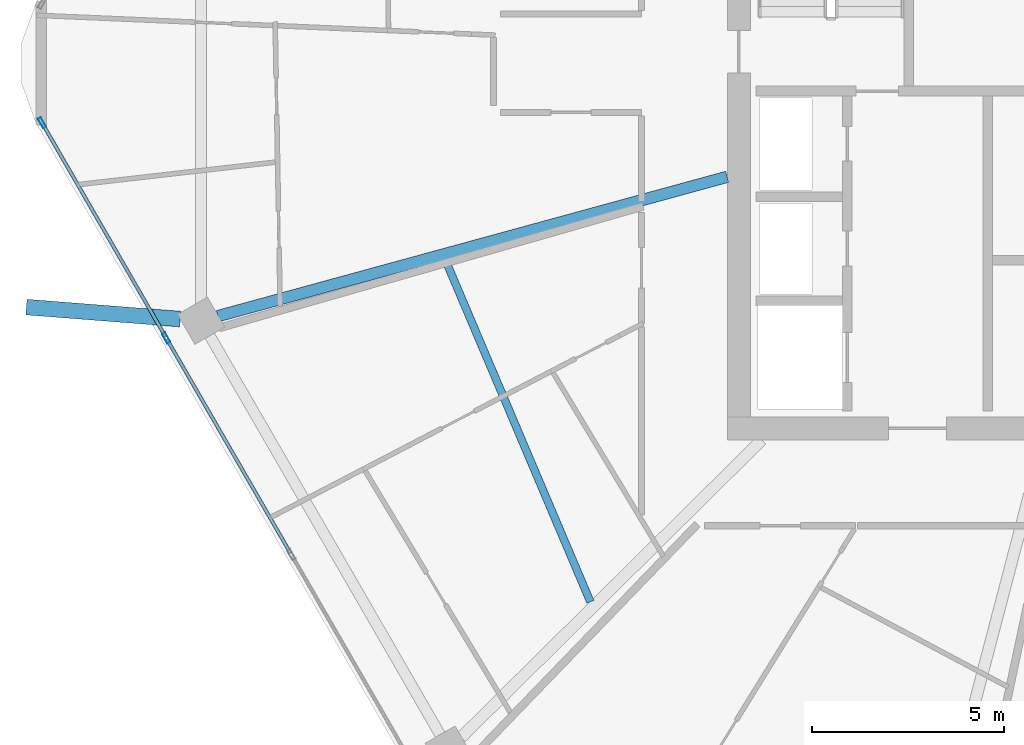
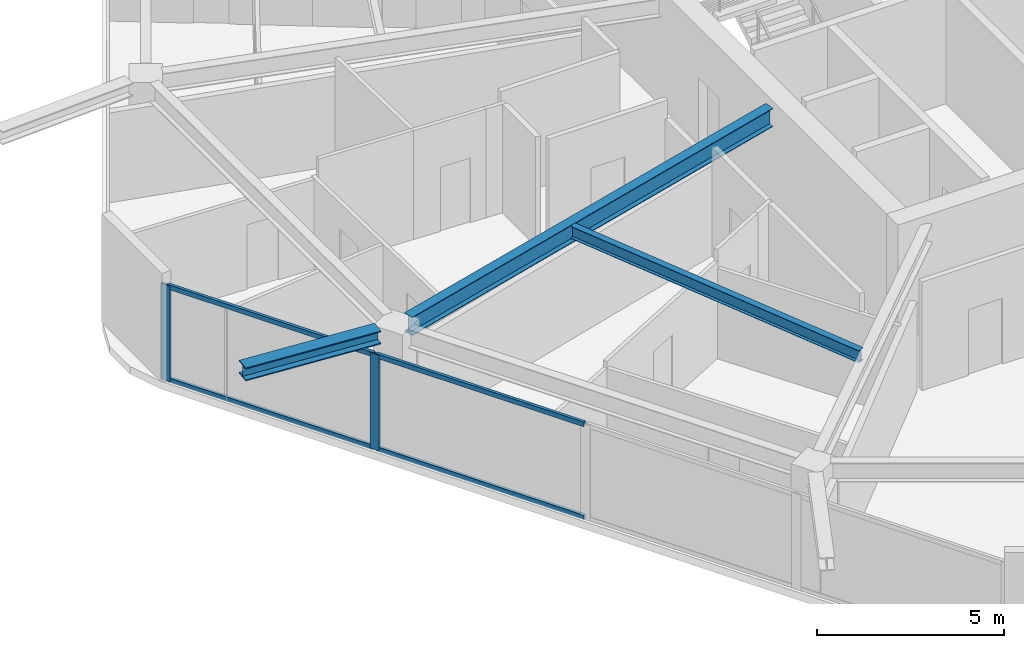
# One storey, part 5 of 26: 6 members, 3 beams, 1 element without a shape of its own.
"""IFC4 building model written with IfcOpenShell, lengths in metres."""

import ifcopenshell
import ifcopenshell.guid

model = None  # the IFC model being written
_history = None  # IfcOwnerHistory: only IFC2X3 demands one
_inside = {}  # id of a spatial element -> (the spatial element, [elements in it])
_under = {}  # id of a project, library or spatial element -> (it, [spatial elements below it])
_declared = {}  # id of a project -> (the project, [libraries it declares])
_typed = {}  # id of a type object -> (the type object, [elements of that type])
_made_of = {}  # id of a material, layer set ... -> (it, [elements and type objects made of it])


def new_model(schema):
    """Start an empty IFC model of exactly this schema.

    Asked for "IFC4X3", IfcOpenShell would pick the latest addendum, in which some entities
    have other attributes; the version numbers below select the first issue.
    IFC2X3 requires an IfcOwnerHistory on every rooted entity: one is made here for all.
    """
    global model, _history
    if schema == "IFC4X3":
        model = ifcopenshell.file(schema_version=(4, 3, 0, 0))
    else:
        model = ifcopenshell.file(schema=schema)
    _inside.clear()
    _under.clear()
    _declared.clear()
    _typed.clear()
    _made_of.clear()
    _history = None
    if model.schema == "IFC2X3":
        org = make("IfcOrganization", Name="unknown")
        user = make(
            "IfcPersonAndOrganization",
            ThePerson=make("IfcPerson", FamilyName="unknown"),
            TheOrganization=org,
        )
        app = make(
            "IfcApplication",
            ApplicationDeveloper=org,
            Version="unknown",
            ApplicationFullName="unknown",
            ApplicationIdentifier="unknown",
        )
        _history = make(
            "IfcOwnerHistory",
            OwningUser=user,
            OwningApplication=app,
            ChangeAction="ADDED",
            CreationDate=0,
        )
    return model


def make(cls, **values):
    """One entity of the class cls with the attributes given. An attribute that is None is left unset."""
    return model.create_entity(
        cls, **{name: value for name, value in values.items() if value is not None}
    )


def rooted(cls, **values):
    """An entity with a GlobalId (a new one), such as an element, a storey or a relation."""
    return make(cls, GlobalId=ifcopenshell.guid.new(), OwnerHistory=_history, **values)


def si_unit(unit_type, name, prefix=None):
    """IfcSIUnit, for example si_unit("LENGTHUNIT", "METRE", prefix="MILLI")."""
    return make("IfcSIUnit", UnitType=unit_type, Prefix=prefix, Name=name)


def assignment(units):
    """IfcUnitAssignment: the units of a project."""
    return None if units is None else make("IfcUnitAssignment", Units=units)


def point(xyz):
    """IfcCartesianPoint."""
    return None if xyz is None else make("IfcCartesianPoint", Coordinates=xyz)


def direction(xyz):
    """IfcDirection."""
    return None if xyz is None else make("IfcDirection", DirectionRatios=xyz)


def frame(location, z_axis=None, x_axis=None):
    """IfcAxis2Placement3D, a coordinate frame: its origin and axes. An axis left out is left unset."""
    return make(
        "IfcAxis2Placement3D",
        Location=point(location),
        Axis=direction(z_axis),
        RefDirection=direction(x_axis),
    )


def frame_2d(location, x_axis=None):
    """IfcAxis2Placement2D, a coordinate frame in the plane: its origin and x axis."""
    return make(
        "IfcAxis2Placement2D", Location=point(location), RefDirection=direction(x_axis)
    )


def origin():
    """The frame at (0, 0, 0) with its axes left unset."""
    return frame((0.0, 0.0, 0.0))


def origin_2d():
    """The frame at (0, 0) in the plane with its x axis left unset."""
    return frame_2d((0.0, 0.0))


def place(relative_to, where):
    """IfcLocalPlacement: puts the frame where relative to a parent placement (None: the world)."""
    return make(
        "IfcLocalPlacement", PlacementRelTo=relative_to, RelativePlacement=where
    )


def context(
    kind, dimensions, precision=None, world=None, true_north=None, identifier=None
):
    """IfcGeometricRepresentationContext, for example the 3D "Model" context."""
    return make(
        "IfcGeometricRepresentationContext",
        ContextIdentifier=identifier,
        ContextType=kind,
        CoordinateSpaceDimension=dimensions,
        Precision=precision,
        WorldCoordinateSystem=world,
        TrueNorth=true_north,
    )


def subcontext(parent, identifier, kind, view, scale=None):
    """IfcGeometricRepresentationSubContext, for example "Body" below "Model"."""
    return make(
        "IfcGeometricRepresentationSubContext",
        ContextIdentifier=identifier,
        ContextType=kind,
        ParentContext=parent,
        TargetScale=scale,
        TargetView=view,
    )


def project(units=None, contexts=None):
    """IfcProject with its units and contexts."""
    return rooted(
        "IfcProject",
        Name="project",
        RepresentationContexts=contexts,
        UnitsInContext=assignment(units),
    )


def spatial(cls, under=None, at=None, **own):
    """A site, building, storey or space (cls), placed at a placement, below another one or the project."""
    s = rooted(cls, ObjectPlacement=at, **own)
    if under is not None:
        _under.setdefault(under.id(), (under, []))[1].append(s)
    return s


def profile(cls, at=None, kind="AREA", **sizes):
    """A parametric profile (cls). Its sizes go by their IFC names, for example OverallWidth=200.0."""
    return make(cls, ProfileType=kind, Position=at, **sizes)


def hollow_rectangle(**sizes):
    """IfcRectangleHollowProfileDef."""
    return profile("IfcRectangleHollowProfileDef", **sizes)


def i_section(**sizes):
    """IfcIShapeProfileDef."""
    return profile("IfcIShapeProfileDef", **sizes)


def extrude(swept, where, along, depth):
    """IfcExtrudedAreaSolid: the profile swept, set in the frame where, extruded along a direction by depth."""
    return make(
        "IfcExtrudedAreaSolid",
        SweptArea=swept,
        Position=where,
        ExtrudedDirection=direction(along),
        Depth=depth,
    )


def shape(context_of_items, identifier, shape_type, items):
    """IfcShapeRepresentation: the items that make up one representation, for example the "Body"."""
    return make(
        "IfcShapeRepresentation",
        ContextOfItems=context_of_items,
        RepresentationIdentifier=identifier,
        RepresentationType=shape_type,
        Items=items,
    )


def material(Name=None, Category=None):
    """IfcMaterial."""
    return make("IfcMaterial", Name=Name, Category=Category)


def material_profile(
    of_material, cross_section, Name=None, Category=None, Priority=None
):
    """IfcMaterialProfile: a cross section and its material."""
    return make(
        "IfcMaterialProfile",
        Name=Name,
        Material=of_material,
        Profile=cross_section,
        Priority=Priority,
        Category=Category,
    )


def profile_set(profiles, Name=None, composite=None):
    """IfcMaterialProfileSet."""
    return make(
        "IfcMaterialProfileSet",
        Name=Name,
        MaterialProfiles=profiles,
        CompositeProfile=composite,
    )


def made_of(thing, what):
    """Note that an element or type object is made of a material, layer set ...; save() writes the relation."""
    if what is not None:
        _made_of.setdefault(what.id(), (what, []))[1].append(thing)
    return thing


def type_object(cls, material=None, **own):
    """A type object (cls), such as IfcWallType, which elements share."""
    return made_of(rooted(cls, **own), material)


def element(
    cls,
    number,
    at=None,
    inside=None,
    cuts=None,
    type_object=None,
    material=None,
    context=None,
    identifier="Body",
    shape_type=None,
    held_by="IfcProductDefinitionShape",
    body=None,
    shapes=None,
    **own,
):
    """One element of the class cls, such as IfcWall. Its Tag is "e" and its number.

    at: its placement. inside: the storey or other place that contains it. cuts: it is an
    opening in that element (IfcRelVoidsElement). A single representation is given by context,
    identifier, shape_type and body (its items); several are given by shapes. held_by: the class
    of the entity that holds the representations. save() writes the other relations.
    """
    e = rooted(cls, Tag="e%d" % number, ObjectPlacement=at, **own)
    if body is not None:
        shapes = [shape(context, identifier, shape_type, body)]
    if shapes is not None:
        e.Representation = make(held_by, Representations=shapes)
    if inside is not None:
        _inside.setdefault(inside.id(), (inside, []))[1].append(e)
    if cuts is not None:
        rooted(
            "IfcRelVoidsElement", RelatingBuildingElement=cuts, RelatedOpeningElement=e
        )
    if type_object is not None:
        _typed.setdefault(type_object.id(), (type_object, []))[1].append(e)
    return made_of(e, material)


def aggregate(whole, parts):
    """IfcRelAggregates: a whole, such as a stair, and the parts it consists of."""
    return rooted("IfcRelAggregates", RelatingObject=whole, RelatedObjects=parts)


def save(model, path):
    """Write the relations noted so far, then the file.

    IfcRelAggregates (storeys below a building ...), IfcRelContainedInSpatialStructure (elements
    in a storey), IfcRelDefinesByType, IfcRelAssociatesMaterial and IfcRelDeclares: one each for
    every whole, place, type object, material and project.
    """
    for whole, parts in _under.values():
        aggregate(whole, parts)
    for where, things in _inside.values():
        rooted(
            "IfcRelContainedInSpatialStructure",
            RelatedElements=things,
            RelatingStructure=where,
        )
    for kind, things in _typed.values():
        rooted("IfcRelDefinesByType", RelatedObjects=things, RelatingType=kind)
    for what, things in _made_of.values():
        rooted("IfcRelAssociatesMaterial", RelatedObjects=things, RelatingMaterial=what)
    for by, libraries in _declared.values():
        rooted("IfcRelDeclares", RelatingContext=by, RelatedDefinitions=libraries)
    model.write(path)


model = new_model("IFC4")

# Units and contexts
model_context = context("Model", 3, precision=1e-05, world=origin(), true_north=direction((0.0, 1.0)))
body_context = subcontext(model_context, "Body", "Model", "MODEL_VIEW")
ifc_project = project(units=[si_unit("LENGTHUNIT", "METRE"), si_unit("AREAUNIT", "SQUARE_METRE"), si_unit("VOLUMEUNIT", "CUBIC_METRE"), si_unit("PLANEANGLEUNIT", "RADIAN"), si_unit("MASSUNIT", "GRAM", prefix="KILO")], contexts=[model_context])

# Site, building, storey
site_placement = place(None, origin())
site = spatial("IfcSite", under=ifc_project, at=site_placement, CompositionType="ELEMENT")
building_placement = place(site_placement, origin())
building = spatial("IfcBuilding", under=site, at=building_placement, Name="Zuhravey Tower", CompositionType="ELEMENT")
storey_placement = place(building_placement, frame((0.0, 0.0, 242.60009765625)))
storey = spatial("IfcBuildingStorey", under=building, at=storey_placement, Name="L61", CompositionType="ELEMENT", Elevation=242.60009765625)

# Curtain wall, members
ifc_material_1 = material(Name="Thermally broken anodised aluminium", Category="aluminium")
curtain_wall_type = type_object("IfcCurtainWallType", Name="Zone 3-4 High-Rise Curtain Wall CW4", PredefinedType="NOTDEFINED", material=ifc_material_1)
curtain_wall_placement = place(storey_placement, origin())
curtain_wall = element("IfcCurtainWall", 1, at=curtain_wall_placement, inside=storey, type_object=curtain_wall_type, Name="L61 CW4 CW-L61-F4-1", PredefinedType="NOTDEFINED")
ifc_material_2 = material(Name="Anodised aluminium", Category="aluminium")
ifc_material_profile_1 = material_profile(ifc_material_2, hollow_rectangle(XDim=0.090087890625, YDim=0.284912109375, WallThickness=0.0048828125, at=origin_2d()), Name="ALU-RHS-90x285x5")
ifc_profile_set_1 = profile_set([ifc_material_profile_1], Name="Anodised aluminium")
member_type_1 = type_object("IfcMemberType", Name="Curtain-Wall Mullion 90x180", PredefinedType="MULLION", material=ifc_profile_set_1)
member_1_placement = place(storey_placement, frame((10.608154296875, 24.852783203125, 0.0), z_axis=(0.0, 0.0, 1.0), x_axis=(-0.866024851021, -0.500000957414, 0.0)))
member_1 = element("IfcMember", 2, at=member_1_placement, type_object=member_type_1, Name="CW4 mullion 4", PredefinedType="MULLION", context=body_context, shape_type="SweptSolid", body=[
    extrude(hollow_rectangle(XDim=0.090087890625, YDim=0.284912109375, WallThickness=0.0048828125, at=origin_2d()), origin(), (0.0, 0.0, 1.0), 3.121826171875),
])
member_2_placement = place(storey_placement, frame((7.37744140625, 30.448486328125, 0.0), z_axis=(0.0, 0.0, 1.0), x_axis=(-0.866024851021, -0.500000957414, 0.0)))
member_2 = element("IfcMember", 3, at=member_2_placement, type_object=member_type_1, Name="CW4 mullion 5", PredefinedType="MULLION", context=body_context, shape_type="SweptSolid", body=[
    extrude(hollow_rectangle(XDim=0.090087890625, YDim=0.284912109375, WallThickness=0.0048828125, at=origin_2d()), origin(), (0.0, 0.0, 1.0), 3.121826171875),
])
ifc_material_profile_2 = material_profile(ifc_material_2, hollow_rectangle(XDim=0.090087890625, YDim=0.14990234375, WallThickness=0.0048828125, at=origin_2d()), Name="ALU-RHS-90x150x5")
ifc_profile_set_2 = profile_set([ifc_material_profile_2], Name="Anodised aluminium")
member_type_2 = type_object("IfcMemberType", Name="Curtain-Wall Transom 90x150", PredefinedType="USERDEFINED", material=ifc_profile_set_2)
member_3_placement = place(storey_placement, frame((13.8388671875, 19.257080078125, 0.044921875), z_axis=(-0.499998017366, 0.866026548456, 0.0), x_axis=(-0.866026548456, -0.499998017366, 0.0)))
member_3 = element("IfcMember", 4, at=member_3_placement, type_object=member_type_2, Name="CW4 transom 3.1", ObjectType="TRANSOM", PredefinedType="USERDEFINED", context=body_context, shape_type="SweptSolid", body=[
    extrude(hollow_rectangle(XDim=0.090087890625, YDim=0.14990234375, WallThickness=0.0048828125, at=origin_2d()), origin(), (0.0, 0.0, 1.0), 6.41650390625),
])
member_4_placement = place(storey_placement, frame((13.8388671875, 19.257080078125, 3.076904296875), z_axis=(-0.499998017366, 0.866026548456, 0.0), x_axis=(-0.866026548456, -0.499998017366, 0.0)))
member_4 = element("IfcMember", 5, at=member_4_placement, type_object=member_type_2, Name="CW4 transom 3.2", ObjectType="TRANSOM", PredefinedType="USERDEFINED", context=body_context, shape_type="SweptSolid", body=[
    extrude(hollow_rectangle(XDim=0.090087890625, YDim=0.14990234375, WallThickness=0.0048828125, at=origin_2d()), origin(), (0.0, 0.0, 1.0), 6.41650390625),
])
member_5_placement = place(storey_placement, frame((10.585693359375, 24.891845703125, 0.044921875), z_axis=(-0.500008810174, 0.866020317169, 0.0), x_axis=(-0.866020317169, -0.500008810174, 0.0)))
member_5 = element("IfcMember", 6, at=member_5_placement, type_object=member_type_2, Name="CW4 transom 4.1", ObjectType="TRANSOM", PredefinedType="USERDEFINED", context=body_context, shape_type="SweptSolid", body=[
    extrude(hollow_rectangle(XDim=0.090087890625, YDim=0.14990234375, WallThickness=0.0048828125, at=origin_2d()), origin(), (0.0, 0.0, 1.0), 6.37158203125),
])
member_6_placement = place(storey_placement, frame((10.585693359375, 24.891845703125, 3.076904296875), z_axis=(-0.500008810174, 0.866020317169, 0.0), x_axis=(-0.866020317169, -0.500008810174, 0.0)))
member_6 = element("IfcMember", 7, at=member_6_placement, type_object=member_type_2, Name="CW4 transom 4.2", ObjectType="TRANSOM", PredefinedType="USERDEFINED", context=body_context, shape_type="SweptSolid", body=[
    extrude(hollow_rectangle(XDim=0.090087890625, YDim=0.14990234375, WallThickness=0.0048828125, at=origin_2d()), origin(), (0.0, 0.0, 1.0), 6.37158203125),
])
aggregate(curtain_wall, [member_1, member_2, member_3, member_4, member_5, member_6])

# Beams
ifc_material_3 = material(Name="Steel SM460", Category="steel")
ifc_material_profile_3 = material_profile(ifc_material_3, i_section(OverallWidth=0.406982421875, OverallDepth=0.427978515625, WebThickness=0.02001953125, FlangeThickness=0.034912109375, at=origin_2d()), Name="H-428x407x20x35")
ifc_profile_set_3 = profile_set([ifc_material_profile_3], Name="Steel SM460")
beam_type_1 = type_object("IfcBeamType", Name="Exoskeleton Node Tie Beam H428x407", PredefinedType="BEAM", material=ifc_profile_set_3)
beam_1_placement = place(storey_placement, frame((10.96728515625, 25.343994140625, 3.3359375), z_axis=(-0.996960589137, 0.077907533055, 0.0), x_axis=(-0.077907533055, -0.996960589137, 0.0)))
element("IfcBeam", 8, at=beam_1_placement, inside=storey, type_object=beam_type_1, Name="L61 Exoskeleton Node Tie NT1-07", PredefinedType="BEAM", context=body_context, shape_type="SweptSolid", body=[
    extrude(i_section(OverallWidth=0.406982421875, OverallDepth=0.427978515625, WebThickness=0.02001953125, FlangeThickness=0.034912109375, at=origin_2d()), origin(), (0.0, 0.0, 1.0), 4.008056640625),
])
ifc_material_4 = material(Name="Steel SM355", Category="steel")
ifc_material_profile_4 = material_profile(ifc_material_4, i_section(OverallWidth=0.300048828125, OverallDepth=0.60009765625, WebThickness=0.011962890625, FlangeThickness=0.02001953125, at=origin_2d()), Name="H-600x300x12x20")
ifc_profile_set_4 = profile_set([ifc_material_profile_4], Name="Steel SM355")
beam_type_2 = type_object("IfcBeamType", Name="Radial Primary Girder H600x300", PredefinedType="BEAM", material=ifc_profile_set_4)
beam_2_placement = place(storey_placement, frame((25.197021484375, 29.04443359375, 3.25), z_axis=(-0.964548913045, -0.26390413855, 0.0), x_axis=(0.26390413855, -0.964548913045, 0.0)))
element("IfcBeam", 9, at=beam_2_placement, inside=storey, type_object=beam_type_2, Name="L61 RG3 BM-L61-RAD-07", PredefinedType="BEAM", context=body_context, shape_type="SweptSolid", body=[
    extrude(i_section(OverallWidth=0.300048828125, OverallDepth=0.60009765625, WebThickness=0.011962890625, FlangeThickness=0.02001953125, at=origin_2d()), origin(), (0.0, 0.0, 1.0), 13.7314453125),
])
ifc_material_profile_5 = material_profile(ifc_material_4, i_section(OverallWidth=0.199951171875, OverallDepth=0.39990234375, WebThickness=0.008056640625, FlangeThickness=0.012939453125, at=origin_2d()), Name="H-400x200x8x13")
ifc_profile_set_5 = profile_set([ifc_material_profile_5], Name="Steel SM355")
beam_type_3 = type_object("IfcBeamType", Name="Secondary Floor Joist H400x200", PredefinedType="JOIST", material=ifc_profile_set_5)
beam_3_placement = place(storey_placement, frame((17.869140625, 26.881103515625, 3.349853515625), z_axis=(0.390413493754, -0.920639616731, 0.0), x_axis=(0.920639616731, 0.390413493754, 0.0)))
element("IfcBeam", 10, at=beam_3_placement, inside=storey, type_object=beam_type_3, Name="L61 SJ2 BM-L61-SJ-07-1", PredefinedType="JOIST", context=body_context, shape_type="SweptSolid", body=[
    extrude(i_section(OverallWidth=0.199951171875, OverallDepth=0.39990234375, WebThickness=0.008056640625, FlangeThickness=0.012939453125, at=origin_2d()), origin(), (0.0, 0.0, 1.0), 9.656494140625),
])

save(model, "model.ifc")
